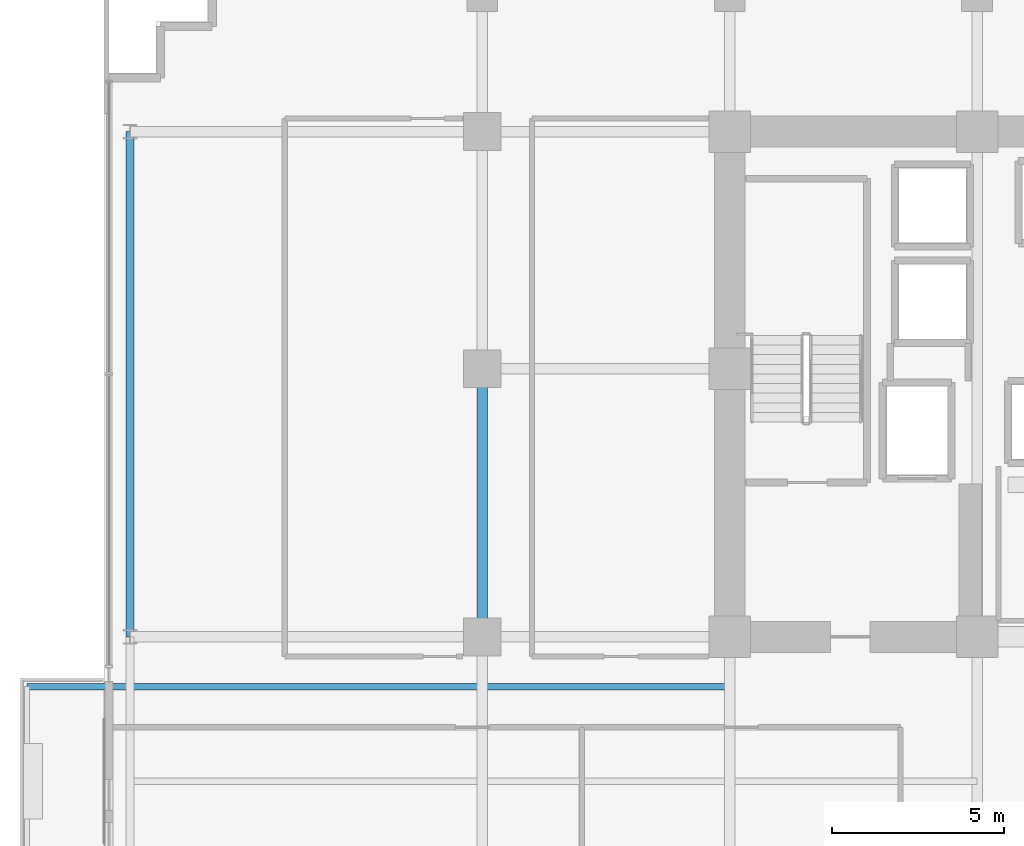
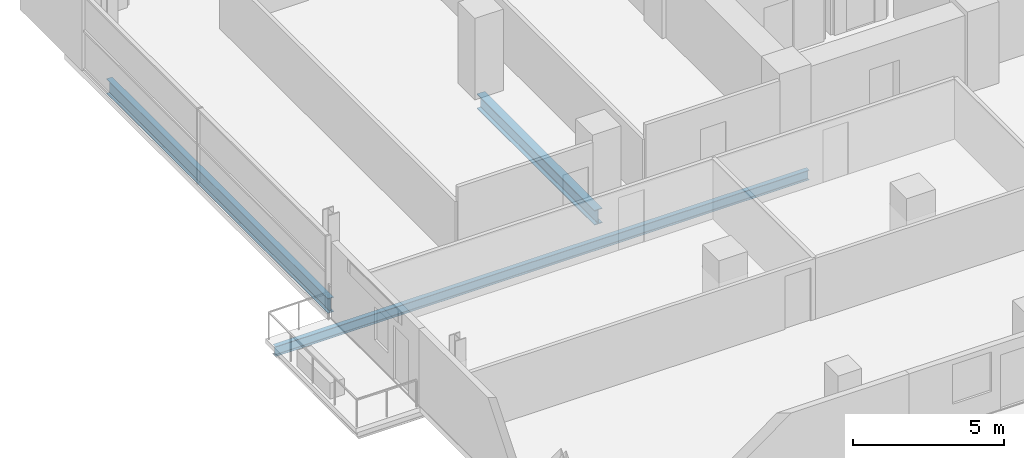
# One storey, part 6 of 30: 3 beams.
"""IFC4 building model written with IfcOpenShell, lengths in metres."""

from ifc_helpers import new_model, si_unit, direction, frame, origin, origin_2d, place, context, subcontext, project, spatial, i_section, extrude, material, material_profile, profile_set, type_object, element, save


model = new_model("IFC4")

# Units and contexts
model_context = context("Model", 3, precision=1e-05, world=origin(), true_north=direction((0.0, 1.0)))
body_context = subcontext(model_context, "Body", "Model", "MODEL_VIEW")
ifc_project = project(units=[si_unit("LENGTHUNIT", "METRE"), si_unit("AREAUNIT", "SQUARE_METRE"), si_unit("VOLUMEUNIT", "CUBIC_METRE"), si_unit("PLANEANGLEUNIT", "RADIAN"), si_unit("MASSUNIT", "GRAM", prefix="KILO")], contexts=[model_context])

# Site, building, storey
site_placement = place(None, origin())
site = spatial("IfcSite", under=ifc_project, at=site_placement, CompositionType="ELEMENT")
building_placement = place(site_placement, origin())
building = spatial("IfcBuilding", under=site, at=building_placement, Name="Zarnakvel Exchange Tower", CompositionType="ELEMENT")
storey_placement = place(building_placement, frame((0.0, 0.0, 34.0)))
storey = spatial("IfcBuildingStorey", under=building, at=storey_placement, Name="L08", CompositionType="ELEMENT", Elevation=34.0)

# Beams
ifc_material = material(Name="Steel S355", Category="steel")
ifc_material_profile_1 = material_profile(ifc_material, i_section(OverallWidth=0.179931640625, OverallDepth=0.39990234375, WebThickness=0.008544921875, FlangeThickness=0.013427734375, FilletRadius=0.02099609375, at=origin_2d()))
ifc_profile_set_1 = profile_set([ifc_material_profile_1], Name="Steel S355")
beam_type_1 = type_object("IfcBeamType", Name="B-06", PredefinedType="JOIST", material=ifc_profile_set_1)
beam_1_placement = place(storey_placement, frame((-14.39990234375, -2.64990234375, -0.425048828125), z_axis=(-1.0, 0.0, 0.0), x_axis=(0.0, -1.0, 0.0)))
element("IfcBeam", 1, at=beam_1_placement, inside=storey, type_object=beam_type_1, Name="L08 Continuous West Loggia Beam N", PredefinedType="JOIST", context=body_context, shape_type="SweptSolid", body=[
    extrude(i_section(OverallWidth=0.179931640625, OverallDepth=0.39990234375, WebThickness=0.008544921875, FlangeThickness=0.013427734375, FilletRadius=0.02099609375, at=origin_2d()), origin(), (0.0, 0.0, 1.0), 20.4501953125),
])
ifc_material_profile_2 = material_profile(ifc_material, i_section(OverallWidth=0.300048828125, OverallDepth=0.60009765625, WebThickness=0.015380859375, FlangeThickness=0.030029296875, FilletRadius=0.027099609375, at=origin_2d()))
ifc_profile_set_2 = profile_set([ifc_material_profile_2], Name="Steel S355")
beam_type_2 = type_object("IfcBeamType", Name="G-04", PredefinedType="BEAM", material=ifc_profile_set_2)
beam_2_placement = place(storey_placement, frame((-21.60009765625, -1.199951171875, -0.52490234375), z_axis=(0.0, 1.0, 0.0), x_axis=(-1.0, 0.0, 0.0)))
element("IfcBeam", 2, at=beam_2_placement, inside=storey, type_object=beam_type_2, Name="L08 Tower N-S Frame Beam", PredefinedType="BEAM", context=body_context, shape_type="SweptSolid", body=[
    extrude(i_section(OverallWidth=0.300048828125, OverallDepth=0.60009765625, WebThickness=0.015380859375, FlangeThickness=0.030029296875, FilletRadius=0.027099609375, at=origin_2d()), origin(), (0.0, 0.0, 1.0), 7.800048828125),
])
ifc_material_profile_3 = material_profile(ifc_material, i_section(OverallWidth=0.219970703125, OverallDepth=0.60009765625, WebThickness=0.011962890625, FlangeThickness=0.01904296875, FilletRadius=0.02392578125, at=origin_2d()))
ifc_profile_set_3 = profile_set([ifc_material_profile_3], Name="Steel S355")
beam_type_3 = type_object("IfcBeamType", Name="SP-01", PredefinedType="SPANDREL", material=ifc_profile_set_3)
beam_3_placement = place(storey_placement, frame((-31.85009765625, -1.199951171875, -0.52490234375), z_axis=(0.0, 1.0, 0.0), x_axis=(-1.0, 0.0, 0.0)))
element("IfcBeam", 3, at=beam_3_placement, inside=storey, type_object=beam_type_3, Name="L08 Tower N-S Frame Beam", PredefinedType="SPANDREL", context=body_context, shape_type="SweptSolid", body=[
    extrude(i_section(OverallWidth=0.219970703125, OverallDepth=0.60009765625, WebThickness=0.011962890625, FlangeThickness=0.01904296875, FilletRadius=0.02392578125, at=origin_2d()), origin(), (0.0, 0.0, 1.0), 14.699951171875),
])

save(model, "model.ifc")
